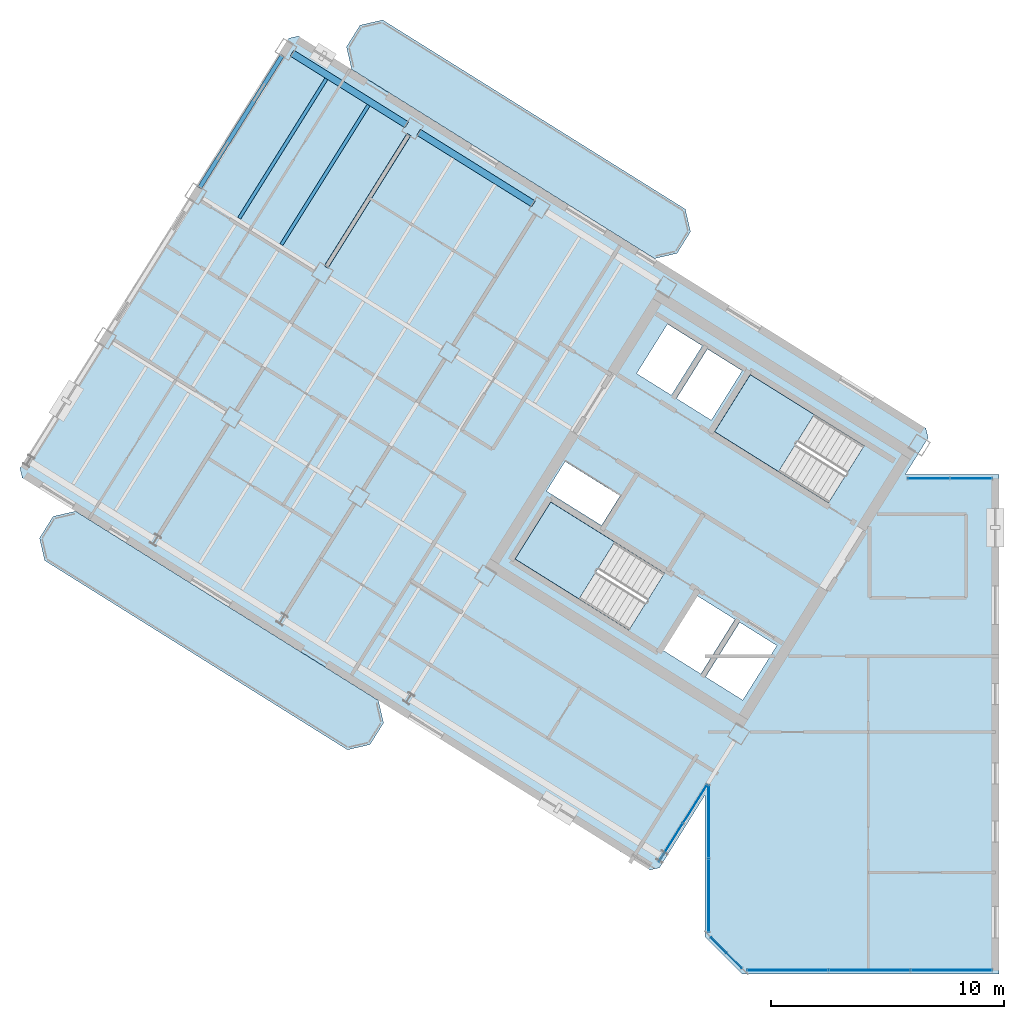
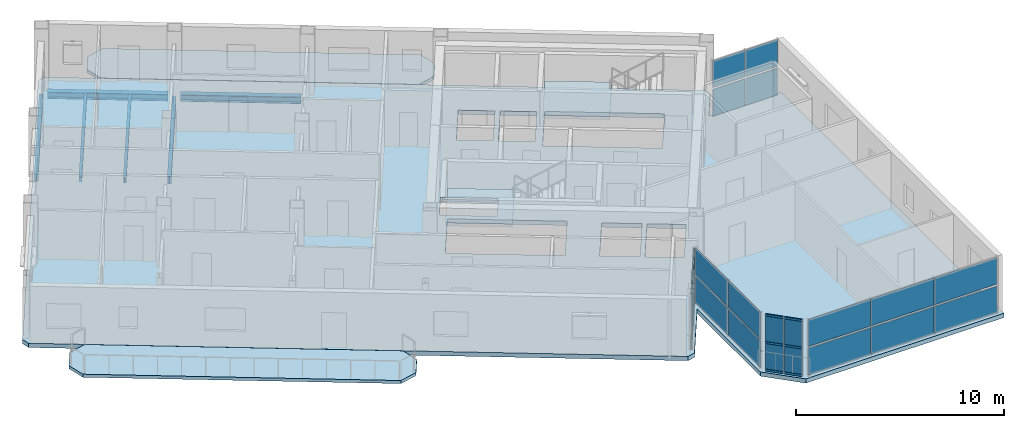
# One storey, part 7 of 15: 22 plates, 6 beams, 6 members, 5 slabs, 7 elements without a shape of their own.
"""IFC4 building model written with IfcOpenShell, lengths in metres."""

from ifc_helpers import new_model, si_unit, direction, frame, origin, origin_2d, place, context, subcontext, project, spatial, polyline, rectangle, hollow_rectangle, i_section, outline, extrude, source, transform, mapped, material, layer, layer_set, material_profile, profile_set, type_object, element, aggregate, save


model = new_model("IFC4")

# Units and contexts
model_context = context("Model", 3, precision=1e-05, world=origin(), true_north=direction((0.0, 1.0)))
body_context = subcontext(model_context, "Body", "Model", "MODEL_VIEW")
ifc_project = project(units=[si_unit("LENGTHUNIT", "METRE"), si_unit("AREAUNIT", "SQUARE_METRE"), si_unit("VOLUMEUNIT", "CUBIC_METRE"), si_unit("PLANEANGLEUNIT", "RADIAN"), si_unit("MASSUNIT", "GRAM", prefix="KILO")], contexts=[model_context])

# Site, building, storey
site_placement = place(None, origin())
site = spatial("IfcSite", under=ifc_project, at=site_placement, CompositionType="ELEMENT")
building_placement = place(site_placement, origin())
building = spatial("IfcBuilding", under=site, at=building_placement, Name="Tlacorven Tower", CompositionType="ELEMENT")
storey_placement = place(building_placement, frame((0.0, 0.0, 266.39990234375)))
storey = spatial("IfcBuildingStorey", under=building, at=storey_placement, Name="L67", CompositionType="ELEMENT", Elevation=266.39990234375)

# Beams
ifc_material_1 = material(Name="Steel S355J2", Category="steel")
ifc_material_profile_1 = material_profile(ifc_material_1, i_section(OverallWidth=0.300048828125, OverallDepth=0.389892578125, WebThickness=0.010986328125, FlangeThickness=0.01904296875, at=origin_2d()), Name="HEA 400")
ifc_profile_set_1 = profile_set([ifc_material_profile_1], Name="Steel S355J2")
beam_type_1 = type_object("IfcBeamType", Name="BM-SPN-400", PredefinedType="SPANDREL", material=ifc_profile_set_1)
shared_shape_1 = source(origin(), body_context, "Body", "SweptSolid", [
    extrude(i_section(OverallWidth=0.300048828125, OverallDepth=0.389892578125, WebThickness=0.010986328125, FlangeThickness=0.01904296875, at=origin_2d()), origin(), (0.0, 0.0, 1.0), 5.800048828125),
])
for number, where, z_axis, x_axis, name in (
    (1, (24.24609375, 34.8017578125, -0.44482421875), (-0.848052689693, 0.529911912967, 0.0), (-0.529911912967, -0.848052689693, 0.0), "L67 beam BM-L67-WL1-4"),
    (2, (18.818603515625, 38.193359375, -0.44482421875), (-0.848052689693, 0.529911912967, 0.0), (-0.529911912967, -0.848052689693, 0.0), "L67 beam BM-L67-WL1-5"),
):
    element("IfcBeam", number, at=place(storey_placement, frame(where, z_axis=z_axis, x_axis=x_axis)), inside=storey, type_object=beam_type_1, Name=name, PredefinedType="SPANDREL", context=body_context, shape_type="MappedRepresentation", body=[
        mapped(shared_shape_1, transform((0.0, 0.0, 0.0), scale=1.0)),
    ])
ifc_material_profile_2 = material_profile(ifc_material_1, i_section(OverallWidth=0.14990234375, OverallDepth=0.300048828125, WebThickness=0.007080078125, FlangeThickness=0.0107421875, at=origin_2d()), Name="IPE 300")
ifc_profile_set_2 = profile_set([ifc_material_profile_2], Name="Steel S355J2")
beam_type_2 = type_object("IfcBeamType", Name="BM-JST-300", PredefinedType="JOIST", material=ifc_profile_set_2)
shared_shape_2 = source(origin(), body_context, "Body", "SweptSolid", [
    extrude(i_section(OverallWidth=0.14990234375, OverallDepth=0.300048828125, WebThickness=0.007080078125, FlangeThickness=0.0107421875, at=origin_2d()), origin(), (0.0, 0.0, 1.0), 7.044921875),
])
for number, where, z_axis, x_axis, name in (
    (3, (17.181640625, 39.033447265625, -0.39990234375), (-0.529899256491, -0.848060598053, 0.0), (0.848060598053, -0.529899256491, 0.0), "L67 beam BM-L67-WJ5-1-1"),
    (4, (15.372314453125, 40.163818359375, -0.39990234375), (-0.52991483005, -0.848050866925, 0.0), (0.848050866925, -0.52991483005, 0.0), "L67 beam BM-L67-WJ5-1-2"),
):
    element("IfcBeam", number, at=place(storey_placement, frame(where, z_axis=z_axis, x_axis=x_axis)), inside=storey, type_object=beam_type_2, Name=name, PredefinedType="JOIST", context=body_context, shape_type="MappedRepresentation", body=[
        mapped(shared_shape_2, transform((0.0, 0.0, 0.0), scale=1.0)),
    ])
ifc_material_profile_3 = material_profile(ifc_material_1, i_section(OverallWidth=0.18994140625, OverallDepth=0.449951171875, WebThickness=0.009521484375, FlangeThickness=0.0146484375, at=origin_2d()), Name="IPE 450")
ifc_profile_set_3 = profile_set([ifc_material_profile_3], Name="Steel S355J2")
beam_type_3 = type_object("IfcBeamType", Name="BM-TWR-450", PredefinedType="BEAM", material=ifc_profile_set_3)
shared_shape_3 = source(origin(), body_context, "Body", "SweptSolid", [
    extrude(i_section(OverallWidth=0.18994140625, OverallDepth=0.449951171875, WebThickness=0.009521484375, FlangeThickness=0.0146484375, at=origin_2d()), origin(), (0.0, 0.0, 1.0), 6.699951171875),
])
beam_1_placement = place(storey_placement, frame((13.486328125, 41.17138671875, -0.474853515625), z_axis=(-0.529903948186, -0.848057666493, 0.0), x_axis=(0.848057666493, -0.529903948186, 0.0)))
element("IfcBeam", 5, at=beam_1_placement, inside=storey, type_object=beam_type_3, Name="L67 beam BM-L67-WT6-1", PredefinedType="BEAM", context=body_context, shape_type="MappedRepresentation", body=[
    mapped(shared_shape_3, transform((0.0, 0.0, 0.0), scale=1.0)),
])
shared_shape_4 = source(origin(), body_context, "Body", "SweptSolid", [
    extrude(i_section(OverallWidth=0.18994140625, OverallDepth=0.449951171875, WebThickness=0.009521484375, FlangeThickness=0.0146484375, at=origin_2d()), origin(), (0.0, 0.0, 1.0), 6.7001953125),
])
beam_2_placement = place(storey_placement, frame((18.9140625, 37.780029296875, -0.474853515625), z_axis=(-0.52991377951, -0.848051523367, 0.0), x_axis=(0.848051523367, -0.52991377951, 0.0)))
element("IfcBeam", 6, at=beam_2_placement, inside=storey, type_object=beam_type_3, Name="L67 beam BM-L67-WT5-1", PredefinedType="BEAM", context=body_context, shape_type="MappedRepresentation", body=[
    mapped(shared_shape_4, transform((0.0, 0.0, 0.0), scale=1.0)),
])

# Curtain wall, members
ifc_material_2 = material(Name="Dark solar low-E double glazing in aluminium frame", Category="aluminium")
curtain_wall_type = type_object("IfcCurtainWallType", Name="CW-TWR-HIGH", PredefinedType="USERDEFINED", material=ifc_material_2)
curtain_wall_1_placement = place(storey_placement, origin())
curtain_wall_1 = element("IfcCurtainWall", 7, at=curtain_wall_1_placement, inside=storey, type_object=curtain_wall_type, Name="L67 CW-TWR-HIGH Curtain Wall 310", ObjectType="UNITISED CURTAIN WALL", PredefinedType="USERDEFINED")
ifc_material_3 = material(Name="Aluminium 6063-T6 anodised", Category="aluminium")
ifc_material_profile_4 = material_profile(ifc_material_3, hollow_rectangle(XDim=0.054931640625, YDim=0.1201171875, WallThickness=0.00341796875, at=origin_2d()), Name="ALU TRANSOM 55X120")
ifc_profile_set_4 = profile_set([ifc_material_profile_4], Name="Aluminium 6063-T6 anodised")
member_type = type_object("IfcMemberType", Name="CWT-03", PredefinedType="USERDEFINED", material=ifc_profile_set_4)
shared_shape_5 = source(origin(), body_context, "Body", "SweptSolid", [
    extrude(hollow_rectangle(XDim=0.054931640625, YDim=0.1201171875, WallThickness=0.00341796875, at=origin_2d()), origin(), (0.0, 0.0, 1.0), 0.899169921875),
])
member_1_placement = place(storey_placement, frame((33.16162109375, 2.064697265625, 0.06005859375), z_axis=(-0.707106781187, 0.707106781187, 0.0), x_axis=(-0.707106781187, -0.707106781187, 0.0)))
member_1 = element("IfcMember", 8, at=member_1_placement, type_object=member_type, Name="CW-L67-310 Transom 1", ObjectType="TRANSOM", PredefinedType="USERDEFINED", context=body_context, shape_type="MappedRepresentation", body=[
    mapped(shared_shape_5, transform((0.0, 0.0, 0.0), scale=1.0)),
])
member_2_placement = place(storey_placement, frame((33.16162109375, 2.064697265625, 1.675048828125), z_axis=(-0.707106781187, 0.707106781187, 0.0), x_axis=(-0.707106781187, -0.707106781187, 0.0)))
member_2 = element("IfcMember", 9, at=member_2_placement, type_object=member_type, Name="CW-L67-310 Transom 2", ObjectType="TRANSOM", PredefinedType="USERDEFINED", context=body_context, shape_type="MappedRepresentation", body=[
    mapped(shared_shape_5, transform((0.0, 0.0, 0.0), scale=1.0)),
])
member_3_placement = place(storey_placement, frame((33.16162109375, 2.064697265625, 3.2900390625), z_axis=(-0.707106781187, 0.707106781187, 0.0), x_axis=(-0.707106781187, -0.707106781187, 0.0)))
member_3 = element("IfcMember", 10, at=member_3_placement, type_object=member_type, Name="CW-L67-310 Transom 3", ObjectType="TRANSOM", PredefinedType="USERDEFINED", context=body_context, shape_type="MappedRepresentation", body=[
    mapped(shared_shape_5, transform((0.0, 0.0, 0.0), scale=1.0)),
])
member_4_placement = place(storey_placement, frame((32.50048828125, 2.725830078125, 0.06005859375), z_axis=(-0.707106781187, 0.707106781187, 0.0), x_axis=(-0.707106781187, -0.707106781187, 0.0)))
member_4 = element("IfcMember", 11, at=member_4_placement, type_object=member_type, Name="CW-L67-310 Transom 4", ObjectType="TRANSOM", PredefinedType="USERDEFINED", context=body_context, shape_type="MappedRepresentation", body=[
    mapped(shared_shape_5, transform((0.0, 0.0, 0.0), scale=1.0)),
])
member_5_placement = place(storey_placement, frame((32.50048828125, 2.725830078125, 1.675048828125), z_axis=(-0.707106781187, 0.707106781187, 0.0), x_axis=(-0.707106781187, -0.707106781187, 0.0)))
member_5 = element("IfcMember", 12, at=member_5_placement, type_object=member_type, Name="CW-L67-310 Transom 5", ObjectType="TRANSOM", PredefinedType="USERDEFINED", context=body_context, shape_type="MappedRepresentation", body=[
    mapped(shared_shape_5, transform((0.0, 0.0, 0.0), scale=1.0)),
])
member_6_placement = place(storey_placement, frame((32.50048828125, 2.725830078125, 3.2900390625), z_axis=(-0.707106781187, 0.707106781187, 0.0), x_axis=(-0.707106781187, -0.707106781187, 0.0)))
member_6 = element("IfcMember", 13, at=member_6_placement, type_object=member_type, Name="CW-L67-310 Transom 6", ObjectType="TRANSOM", PredefinedType="USERDEFINED", context=body_context, shape_type="MappedRepresentation", body=[
    mapped(shared_shape_5, transform((0.0, 0.0, 0.0), scale=1.0)),
])

# Slabs
ifc_material_4 = material(Name="Precast concrete C45/55", Category="concrete")
ifc_layer_1 = layer(ifc_material_4, 0.179931640625)
ifc_layer_set_1 = layer_set([ifc_layer_1], Name="Precast concrete C45/55")
slab_type_1 = type_object("IfcSlabType", Name="SL-BAL-180", PredefinedType="USERDEFINED", material=ifc_layer_set_1)
slab_1_placement = place(storey_placement, frame((0.0, 0.0, -0.179931640625)))
element("IfcSlab", 14, at=slab_1_placement, inside=storey, type_object=slab_type_1, Name="L67 West Wing Balcony Ribbon OUT", ObjectType="BALCONY SLAB", PredefinedType="USERDEFINED", context=body_context, shape_type="SweptSolid", body=[
    extrude(outline(polyline([(17.601318359375, 13.52490234375), (4.626220703125, 21.632568359375), (3.66162109375, 21.409912109375), (3.081298828125, 20.4814453125), (3.303955078125, 19.516845703125), (16.279052734375, 11.408935546875), (17.24365234375, 11.6318359375), (17.823974609375, 12.560302734375), (17.601318359375, 13.52490234375)])), origin(), (0.0, 0.0, 1.0), 0.179931640625),
])
slab_2_placement = place(storey_placement, frame((0.0, 0.0, -0.179931640625)))
element("IfcSlab", 15, at=slab_2_placement, inside=storey, type_object=slab_type_1, Name="L67 West Wing Balcony Ribbon IN", ObjectType="BALCONY SLAB", PredefinedType="USERDEFINED", context=body_context, shape_type="SweptSolid", body=[
    extrude(outline(polyline([(30.756591796875, 34.57763671875), (17.781494140625, 42.685546875), (16.81689453125, 42.462890625), (16.236572265625, 41.5341796875), (16.459228515625, 40.569580078125), (29.434326171875, 32.4619140625), (30.39892578125, 32.6845703125), (30.979248046875, 33.613037109375), (30.756591796875, 34.57763671875)])), origin(), (0.0, 0.0, 1.0), 0.179931640625),
])

# Stair, slab
ifc_material_5 = material(Name="Concrete C40/50", Category="concrete")
stair_type = type_object("IfcStairType", Name="ST-CORE-DLG", PredefinedType="HALF_TURN_STAIR", material=ifc_material_5)
stair_1_placement = place(storey_placement, origin())
stair_1 = element("IfcStair", 16, at=stair_1_placement, inside=storey, type_object=stair_type, Name="L67 Protected Exit Stair West 1", PredefinedType="HALF_TURN_STAIR")
ifc_layer_2 = layer(ifc_material_5, 0.199951171875)
ifc_layer_set_2 = layer_set([ifc_layer_2], Name="Concrete C40/50")
slab_type_2 = type_object("IfcSlabType", Name="SL-LND-200", PredefinedType="LANDING", material=ifc_layer_set_2)
slab_3_placement = place(storey_placement, frame((0.0, 0.0, 1.60009765625)))
slab_3 = element("IfcSlab", 17, at=slab_3_placement, type_object=slab_type_2, Name="ST-W1 landing 1", PredefinedType="LANDING", context=body_context, shape_type="SweptSolid", body=[
    extrude(outline(polyline([(27.728515625, 20.315185546875), (24.9892578125, 22.02685546875), (23.463134765625, 19.58447265625), (26.2021484375, 17.872802734375), (27.728515625, 20.315185546875)])), origin(), (0.0, 0.0, 1.0), 0.199951171875),
])
aggregate(stair_1, [slab_3])

stair_2_placement = place(storey_placement, origin())
stair_2 = element("IfcStair", 18, at=stair_2_placement, inside=storey, type_object=stair_type, Name="L67 Protected Exit Stair West 2", PredefinedType="HALF_TURN_STAIR")
slab_4_placement = place(storey_placement, frame((0.0, 0.0, 1.60009765625)))
slab_4 = element("IfcSlab", 19, at=slab_4_placement, type_object=slab_type_2, Name="ST-W2 landing 1", PredefinedType="LANDING", context=body_context, shape_type="SweptSolid", body=[
    extrude(outline(polyline([(36.280029296875, 25.772705078125), (33.540771484375, 27.484375), (32.0146484375, 25.0419921875), (34.75390625, 23.33056640625), (36.280029296875, 25.772705078125)])), origin(), (0.0, 0.0, 1.0), 0.199951171875),
])
aggregate(stair_2, [slab_4])

# Slab
ifc_layer_3 = layer(ifc_material_5, 0.25)
ifc_layer_set_3 = layer_set([ifc_layer_3], Name="Concrete C40/50")
slab_type_3 = type_object("IfcSlabType", Name="SL-TWR-250", PredefinedType="FLOOR", material=ifc_layer_set_3)
slab_5_placement = place(storey_placement, frame((0.0, 0.0, -0.25)))
element("IfcSlab", 20, at=slab_5_placement, inside=storey, type_object=slab_type_3, Name="L67 Boomerang Tower Floor Slab", PredefinedType="FLOOR", context=body_context, shape_type="SweptSolid", body=[
    extrude(outline(polyline([(44.199951171875, 23.199951171875), (44.199951171875, 1.800048828125), (33.199951171875, 1.800048828125), (31.60009765625, 3.39990234375), (31.60009765625, 9.470703125), (29.652587890625, 6.35400390625), (29.2392578125, 6.258544921875), (2.339111328125, 23.067626953125), (2.24365234375, 23.481201171875), (13.75341796875, 41.900634765625), (14.1669921875, 41.99609375), (41.06689453125, 25.18701171875), (41.162353515625, 24.773681640625), (40.178955078125, 23.199951171875), (44.199951171875, 23.199951171875)]), holes=[polyline([(29.865478515625, 18.979736328125), (24.9892578125, 22.02685546875), (23.463134765625, 19.58447265625), (28.33935546875, 16.537353515625), (29.865478515625, 18.979736328125)]), polyline([(38.4169921875, 24.4375), (33.540771484375, 27.484375), (32.0146484375, 25.0419921875), (36.890869140625, 21.9951171875), (38.4169921875, 24.4375)]), polyline([(34.682373046875, 15.87548828125), (33.088134765625, 16.871826171875), (31.62548828125, 14.531005859375), (33.2197265625, 13.534912109375), (34.682373046875, 15.87548828125)]), polyline([(32.884521484375, 16.9990234375), (31.2392578125, 18.02685546875), (29.77685546875, 15.686279296875), (31.421875, 14.658203125), (32.884521484375, 16.9990234375)]), polyline([(33.197265625, 27.65185546875), (31.704833984375, 28.58447265625), (30.3798828125, 26.46435546875), (31.87255859375, 25.53173828125), (33.197265625, 27.65185546875)]), polyline([(31.484375, 28.722412109375), (29.99169921875, 29.655029296875), (28.6669921875, 27.534912109375), (30.159423828125, 26.602294921875), (31.484375, 28.722412109375)]), polyline([(27.96142578125, 22.2919921875), (25.603759765625, 23.76513671875), (24.80908203125, 22.4931640625), (27.16650390625, 21.02001953125), (27.96142578125, 22.2919921875)])]), origin(), (0.0, 0.0, 1.0), 0.25),
])

# Plate
ifc_material_6 = material(Name="High-wind dark solar tempered low-E glazing", Category="glass")
ifc_layer_4 = layer(ifc_material_6, 0.028076171875)
ifc_layer_set_4 = layer_set([ifc_layer_4], Name="High-wind dark solar tempered low-E glazing")
plate_type = type_object("IfcPlateType", Name="CWP-03", PredefinedType="CURTAIN_PANEL", material=ifc_layer_set_4)
shared_shape_6 = source(origin(), body_context, "Body", "SweptSolid", [
    extrude(rectangle(XDim=0.89306640625, YDim=0.028076171875, at=origin_2d()), origin(), (0.0, 0.0, 1.0), 1.572998046875),
])
plate_1_placement = place(storey_placement, frame((32.84375, 2.382568359375, 0.05126953125), z_axis=(0.0, 0.0, 1.0), x_axis=(-0.707106781187, 0.707106781187, 0.0)))
plate_1 = element("IfcPlate", 21, at=plate_1_placement, type_object=plate_type, Name="CW-L67-310 Glazing Panel 1", PredefinedType="CURTAIN_PANEL", context=body_context, shape_type="MappedRepresentation", body=[
    mapped(shared_shape_6, transform((0.0, 0.0, 0.0), scale=1.0)),
])

plate_2_placement = place(storey_placement, frame((32.84375, 2.382568359375, 1.72607421875), z_axis=(0.0, 0.0, 1.0), x_axis=(-0.707106781187, 0.707106781187, 0.0)))
plate_2 = element("IfcPlate", 22, at=plate_2_placement, type_object=plate_type, Name="CW-L67-310 Glazing Panel 2", PredefinedType="CURTAIN_PANEL", context=body_context, shape_type="MappedRepresentation", body=[
    mapped(shared_shape_6, transform((0.0, 0.0, 0.0), scale=1.0)),
])

plate_3_placement = place(storey_placement, frame((32.1826171875, 3.043701171875, 0.05126953125), z_axis=(0.0, 0.0, 1.0), x_axis=(-0.707106781187, 0.707106781187, 0.0)))
plate_3 = element("IfcPlate", 23, at=plate_3_placement, type_object=plate_type, Name="CW-L67-310 Glazing Panel 3", PredefinedType="CURTAIN_PANEL", context=body_context, shape_type="MappedRepresentation", body=[
    mapped(shared_shape_6, transform((0.0, 0.0, 0.0), scale=1.0)),
])

plate_4_placement = place(storey_placement, frame((32.1826171875, 3.043701171875, 1.72607421875), z_axis=(0.0, 0.0, 1.0), x_axis=(-0.707106781187, 0.707106781187, 0.0)))
plate_4 = element("IfcPlate", 24, at=plate_4_placement, type_object=plate_type, Name="CW-L67-310 Glazing Panel 4", PredefinedType="CURTAIN_PANEL", context=body_context, shape_type="MappedRepresentation", body=[
    mapped(shared_shape_6, transform((0.0, 0.0, 0.0), scale=1.0)),
])

aggregate(curtain_wall_1, [member_1, member_2, member_3, plate_1, plate_2, member_4, member_5, member_6, plate_3, plate_4])

# Curtain wall, plates
curtain_wall_2_placement = place(storey_placement, origin())
curtain_wall_2 = element("IfcCurtainWall", 25, at=curtain_wall_2_placement, inside=storey, type_object=curtain_wall_type, Name="L67 CW-TWR-HIGH Curtain Wall 311", ObjectType="UNITISED CURTAIN WALL", PredefinedType="USERDEFINED")
shared_shape_7 = source(origin(), body_context, "Body", "SweptSolid", [
    extrude(rectangle(XDim=3.109130859375, YDim=0.028076171875, at=origin_2d()), origin(), (0.0, 0.0, 1.0), 1.572998046875),
])
plate_5_placement = place(storey_placement, frame((31.760009765625, 5.171875, 0.05126953125), z_axis=(0.0, 0.0, 1.0), x_axis=(0.0, 1.0, 0.0)))
plate_5 = element("IfcPlate", 26, at=plate_5_placement, type_object=plate_type, Name="CW-L67-311 Glazing Panel 1", PredefinedType="CURTAIN_PANEL", context=body_context, shape_type="MappedRepresentation", body=[
    mapped(shared_shape_7, transform((0.0, 0.0, 0.0), scale=1.0)),
])
plate_6_placement = place(storey_placement, frame((31.760009765625, 5.171875, 1.72607421875), z_axis=(0.0, 0.0, 1.0), x_axis=(0.0, 1.0, 0.0)))
plate_6 = element("IfcPlate", 27, at=plate_6_placement, type_object=plate_type, Name="CW-L67-311 Glazing Panel 2", PredefinedType="CURTAIN_PANEL", context=body_context, shape_type="MappedRepresentation", body=[
    mapped(shared_shape_7, transform((0.0, 0.0, 0.0), scale=1.0)),
])
plate_7_placement = place(storey_placement, frame((31.760009765625, 8.322998046875, 0.05126953125), z_axis=(0.0, 0.0, 1.0), x_axis=(0.0, 1.0, 0.0)))
plate_7 = element("IfcPlate", 28, at=plate_7_placement, type_object=plate_type, Name="CW-L67-311 Glazing Panel 3", PredefinedType="CURTAIN_PANEL", context=body_context, shape_type="MappedRepresentation", body=[
    mapped(shared_shape_7, transform((0.0, 0.0, 0.0), scale=1.0)),
])
plate_8_placement = place(storey_placement, frame((31.760009765625, 8.322998046875, 1.72607421875), z_axis=(0.0, 0.0, 1.0), x_axis=(0.0, 1.0, 0.0)))
plate_8 = element("IfcPlate", 29, at=plate_8_placement, type_object=plate_type, Name="CW-L67-311 Glazing Panel 4", PredefinedType="CURTAIN_PANEL", context=body_context, shape_type="MappedRepresentation", body=[
    mapped(shared_shape_7, transform((0.0, 0.0, 0.0), scale=1.0)),
])
aggregate(curtain_wall_2, [plate_5, plate_6, plate_7, plate_8])

curtain_wall_3_placement = place(storey_placement, origin())
curtain_wall_3 = element("IfcCurtainWall", 30, at=curtain_wall_3_placement, inside=storey, type_object=curtain_wall_type, Name="L67 CW-TWR-HIGH Curtain Wall 312", ObjectType="UNITISED CURTAIN WALL", PredefinedType="USERDEFINED")
shared_shape_8 = source(origin(), body_context, "Body", "SweptSolid", [
    extrude(rectangle(XDim=1.911376953125, YDim=0.028076171875, at=origin_2d()), origin(), (0.0, 0.0, 1.0), 1.572998046875),
])
plate_9_placement = place(storey_placement, frame((31.173583984375, 9.090087890625, 0.05126953125), z_axis=(0.0, 0.0, 1.0), x_axis=(-0.529918710919, -0.848048441905, 0.0)))
plate_9 = element("IfcPlate", 31, at=plate_9_placement, type_object=plate_type, Name="CW-L67-312 Glazing Panel 1", PredefinedType="CURTAIN_PANEL", context=body_context, shape_type="MappedRepresentation", body=[
    mapped(shared_shape_8, transform((0.0, 0.0, 0.0), scale=1.0)),
])
plate_10_placement = place(storey_placement, frame((31.173583984375, 9.090087890625, 1.72607421875), z_axis=(0.0, 0.0, 1.0), x_axis=(-0.529918710919, -0.848048441905, 0.0)))
plate_10 = element("IfcPlate", 32, at=plate_10_placement, type_object=plate_type, Name="CW-L67-312 Glazing Panel 2", PredefinedType="CURTAIN_PANEL", context=body_context, shape_type="MappedRepresentation", body=[
    mapped(shared_shape_8, transform((0.0, 0.0, 0.0), scale=1.0)),
])
plate_11_placement = place(storey_placement, frame((30.138427734375, 7.43359375, 0.05126953125), z_axis=(0.0, 0.0, 1.0), x_axis=(-0.529918710919, -0.848048441905, 0.0)))
plate_11 = element("IfcPlate", 33, at=plate_11_placement, type_object=plate_type, Name="CW-L67-312 Glazing Panel 3", PredefinedType="CURTAIN_PANEL", context=body_context, shape_type="MappedRepresentation", body=[
    mapped(shared_shape_8, transform((0.0, 0.0, 0.0), scale=1.0)),
])
plate_12_placement = place(storey_placement, frame((30.138427734375, 7.43359375, 1.72607421875), z_axis=(0.0, 0.0, 1.0), x_axis=(-0.529918710919, -0.848048441905, 0.0)))
plate_12 = element("IfcPlate", 34, at=plate_12_placement, type_object=plate_type, Name="CW-L67-312 Glazing Panel 4", PredefinedType="CURTAIN_PANEL", context=body_context, shape_type="MappedRepresentation", body=[
    mapped(shared_shape_8, transform((0.0, 0.0, 0.0), scale=1.0)),
])
aggregate(curtain_wall_3, [plate_9, plate_10, plate_11, plate_12])

curtain_wall_4_placement = place(storey_placement, origin())
curtain_wall_4 = element("IfcCurtainWall", 35, at=curtain_wall_4_placement, inside=storey, type_object=curtain_wall_type, Name="L67 CW-TWR-HIGH Curtain Wall 313", ObjectType="UNITISED CURTAIN WALL", PredefinedType="USERDEFINED")
shared_shape_9 = source(origin(), body_context, "Body", "SweptSolid", [
    extrude(rectangle(XDim=1.776123046875, YDim=0.028076171875, at=origin_2d()), origin(), (0.0, 0.0, 1.0), 1.572998046875),
])
plate_13_placement = place(storey_placement, frame((41.182861328125, 23.0400390625, 0.05126953125), z_axis=(0.0, 0.0, 1.0), x_axis=(1.0, 0.0, 0.0)))
plate_13 = element("IfcPlate", 36, at=plate_13_placement, type_object=plate_type, Name="CW-L67-313 Glazing Panel 1", PredefinedType="CURTAIN_PANEL", context=body_context, shape_type="MappedRepresentation", body=[
    mapped(shared_shape_9, transform((0.0, 0.0, 0.0), scale=1.0)),
])
plate_14_placement = place(storey_placement, frame((41.182861328125, 23.0400390625, 1.72607421875), z_axis=(0.0, 0.0, 1.0), x_axis=(1.0, 0.0, 0.0)))
plate_14 = element("IfcPlate", 37, at=plate_14_placement, type_object=plate_type, Name="CW-L67-313 Glazing Panel 2", PredefinedType="CURTAIN_PANEL", context=body_context, shape_type="MappedRepresentation", body=[
    mapped(shared_shape_9, transform((0.0, 0.0, 0.0), scale=1.0)),
])
plate_15_placement = place(storey_placement, frame((43.0009765625, 23.0400390625, 0.05126953125), z_axis=(0.0, 0.0, 1.0), x_axis=(1.0, 0.0, 0.0)))
plate_15 = element("IfcPlate", 38, at=plate_15_placement, type_object=plate_type, Name="CW-L67-313 Glazing Panel 3", PredefinedType="CURTAIN_PANEL", context=body_context, shape_type="MappedRepresentation", body=[
    mapped(shared_shape_9, transform((0.0, 0.0, 0.0), scale=1.0)),
])
plate_16_placement = place(storey_placement, frame((43.0009765625, 23.0400390625, 1.72607421875), z_axis=(0.0, 0.0, 1.0), x_axis=(1.0, 0.0, 0.0)))
plate_16 = element("IfcPlate", 39, at=plate_16_placement, type_object=plate_type, Name="CW-L67-313 Glazing Panel 4", PredefinedType="CURTAIN_PANEL", context=body_context, shape_type="MappedRepresentation", body=[
    mapped(shared_shape_9, transform((0.0, 0.0, 0.0), scale=1.0)),
])
aggregate(curtain_wall_4, [plate_13, plate_14, plate_15, plate_16])

curtain_wall_5_placement = place(storey_placement, origin())
curtain_wall_5 = element("IfcCurtainWall", 40, at=curtain_wall_5_placement, inside=storey, type_object=curtain_wall_type, Name="L67 CW-TWR-HIGH Curtain Wall 309", ObjectType="UNITISED CURTAIN WALL", PredefinedType="USERDEFINED")
shared_shape_10 = source(origin(), body_context, "Body", "SweptSolid", [
    extrude(rectangle(XDim=3.45263671875, YDim=0.028076171875, at=origin_2d()), origin(), (0.0, 0.0, 1.0), 1.572998046875),
])
plate_17_placement = place(storey_placement, frame((42.16259765625, 1.9599609375, 0.05126953125), z_axis=(0.0, 0.0, 1.0), x_axis=(-1.0, 0.0, 0.0)))
plate_17 = element("IfcPlate", 41, at=plate_17_placement, type_object=plate_type, Name="CW-L67-309 Glazing Panel 1", PredefinedType="CURTAIN_PANEL", context=body_context, shape_type="MappedRepresentation", body=[
    mapped(shared_shape_10, transform((0.0, 0.0, 0.0), scale=1.0)),
])
plate_18_placement = place(storey_placement, frame((42.16259765625, 1.9599609375, 1.72607421875), z_axis=(0.0, 0.0, 1.0), x_axis=(-1.0, 0.0, 0.0)))
plate_18 = element("IfcPlate", 42, at=plate_18_placement, type_object=plate_type, Name="CW-L67-309 Glazing Panel 2", PredefinedType="CURTAIN_PANEL", context=body_context, shape_type="MappedRepresentation", body=[
    mapped(shared_shape_10, transform((0.0, 0.0, 0.0), scale=1.0)),
])
plate_19_placement = place(storey_placement, frame((35.1435546875, 1.9599609375, 0.05126953125), z_axis=(0.0, 0.0, 1.0), x_axis=(-1.0, 0.0, 0.0)))
plate_19 = element("IfcPlate", 43, at=plate_19_placement, type_object=plate_type, Name="CW-L67-309 Glazing Panel 5", PredefinedType="CURTAIN_PANEL", context=body_context, shape_type="MappedRepresentation", body=[
    mapped(shared_shape_10, transform((0.0, 0.0, 0.0), scale=1.0)),
])
plate_20_placement = place(storey_placement, frame((35.1435546875, 1.9599609375, 1.72607421875), z_axis=(0.0, 0.0, 1.0), x_axis=(-1.0, 0.0, 0.0)))
plate_20 = element("IfcPlate", 44, at=plate_20_placement, type_object=plate_type, Name="CW-L67-309 Glazing Panel 6", PredefinedType="CURTAIN_PANEL", context=body_context, shape_type="MappedRepresentation", body=[
    mapped(shared_shape_10, transform((0.0, 0.0, 0.0), scale=1.0)),
])
shared_shape_11 = source(origin(), body_context, "Body", "SweptSolid", [
    extrude(rectangle(XDim=3.482666015625, YDim=0.028076171875, at=origin_2d()), origin(), (0.0, 0.0, 1.0), 1.572998046875),
])
plate_21_placement = place(storey_placement, frame((38.653076171875, 1.9599609375, 0.05126953125), z_axis=(0.0, 0.0, 1.0), x_axis=(-1.0, 0.0, 0.0)))
plate_21 = element("IfcPlate", 45, at=plate_21_placement, type_object=plate_type, Name="CW-L67-309 Glazing Panel 3", PredefinedType="CURTAIN_PANEL", context=body_context, shape_type="MappedRepresentation", body=[
    mapped(shared_shape_11, transform((0.0, 0.0, 0.0), scale=1.0)),
])
plate_22_placement = place(storey_placement, frame((38.653076171875, 1.9599609375, 1.72607421875), z_axis=(0.0, 0.0, 1.0), x_axis=(-1.0, 0.0, 0.0)))
plate_22 = element("IfcPlate", 46, at=plate_22_placement, type_object=plate_type, Name="CW-L67-309 Glazing Panel 4", PredefinedType="CURTAIN_PANEL", context=body_context, shape_type="MappedRepresentation", body=[
    mapped(shared_shape_11, transform((0.0, 0.0, 0.0), scale=1.0)),
])
aggregate(curtain_wall_5, [plate_17, plate_18, plate_21, plate_22, plate_19, plate_20])

save(model, "model.ifc")
